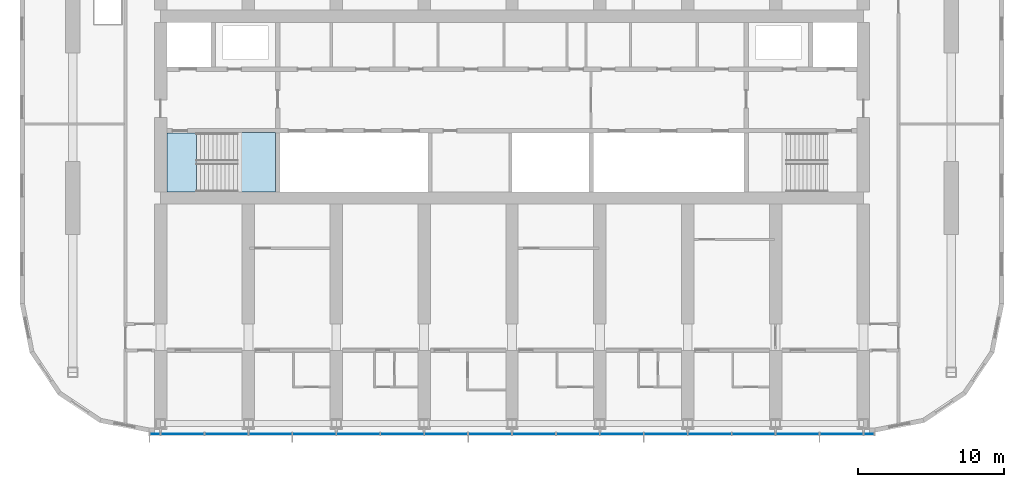
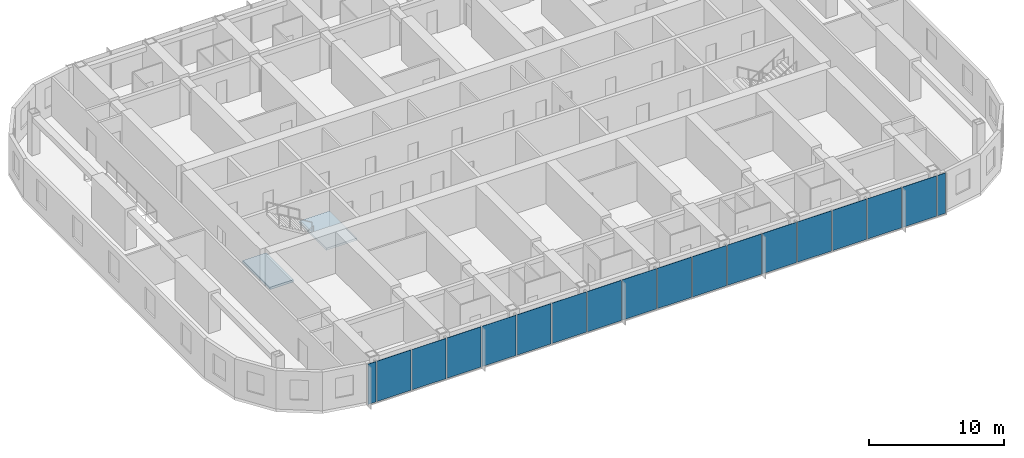
# One storey, part 7 of 22: 18 plates, 2 slabs, 2 elements without a shape of their own.
"""IFC4 building model written with IfcOpenShell, lengths in metres."""

from ifc_helpers import new_model, si_unit, direction, frame, origin, origin_2d, place, context, subcontext, project, spatial, polyline, rectangle, outline, extrude, material, layer, layer_set, type_object, element, aggregate, save


model = new_model("IFC4")

# Units and contexts
model_context = context("Model", 3, precision=1e-05, world=origin(), true_north=direction((0.0, 1.0)))
body_context = subcontext(model_context, "Body", "Model", "MODEL_VIEW")
ifc_project = project(units=[si_unit("LENGTHUNIT", "METRE"), si_unit("AREAUNIT", "SQUARE_METRE"), si_unit("VOLUMEUNIT", "CUBIC_METRE"), si_unit("PLANEANGLEUNIT", "RADIAN"), si_unit("MASSUNIT", "GRAM", prefix="KILO")], contexts=[model_context])

# Site, building, storey
site_placement = place(None, origin())
site = spatial("IfcSite", under=ifc_project, at=site_placement, CompositionType="ELEMENT")
building_placement = place(site_placement, origin())
building = spatial("IfcBuilding", under=site, at=building_placement, Name="Orbita Commons", CompositionType="ELEMENT")
storey_placement = place(building_placement, frame((0.0, 0.0, 152.35009765625)))
storey = spatial("IfcBuildingStorey", under=building, at=storey_placement, Name="L37", CompositionType="ELEMENT", Elevation=152.35009765625)

# Curtain wall, plates
ifc_material_1 = material(Name="Anodised aluminium frame, pale silver", Category="aluminium")
curtain_wall_type = type_object("IfcCurtainWallType", Name="Unitised curtain wall CW-U, full-height vision", PredefinedType="NOTDEFINED", material=ifc_material_1)
curtain_wall_placement = place(storey_placement, origin())
curtain_wall = element("IfcCurtainWall", 1, at=curtain_wall_placement, inside=storey, type_object=curtain_wall_type, Name="Curtain wall south L37", PredefinedType="NOTDEFINED")
ifc_material_2 = material(Name="Clear double glazing", Category="glass")
ifc_layer_1 = layer(ifc_material_2, 0.031982421875)
ifc_layer_set_1 = layer_set([ifc_layer_1], Name="Clear double glazing")
plate_type = type_object("IfcPlateType", Name="Full-height vision panel, clear glazing 32", PredefinedType="CURTAIN_PANEL", material=ifc_layer_set_1)
plate_1_placement = place(storey_placement, frame((17.6201171875, 9.68994140625, -0.150146484375), z_axis=(0.0, 0.0, 1.0), x_axis=(1.0, 0.0, 0.0)))
plate_1 = element("IfcPlate", 2, at=plate_1_placement, type_object=plate_type, Name="Panel 1.1 CW-L37-S", PredefinedType="CURTAIN_PANEL", context=body_context, shape_type="SweptSolid", body=[
    extrude(rectangle(XDim=0.679931640625, YDim=0.031982421875, at=origin_2d()), origin(), (0.0, 0.0, 1.0), 3.64990234375),
])
plate_2_placement = place(storey_placement, frame((19.5, 9.68994140625, -0.150146484375), z_axis=(0.0, 0.0, 1.0), x_axis=(1.0, 0.0, 0.0)))
plate_2 = element("IfcPlate", 3, at=plate_2_placement, type_object=plate_type, Name="Panel 2.1 CW-L37-S", PredefinedType="CURTAIN_PANEL", context=body_context, shape_type="SweptSolid", body=[
    extrude(rectangle(XDim=2.919921875, YDim=0.031982421875, at=origin_2d()), origin(), (0.0, 0.0, 1.0), 3.64990234375),
])
plate_3_placement = place(storey_placement, frame((22.5, 9.68994140625, -0.150146484375), z_axis=(0.0, 0.0, 1.0), x_axis=(1.0, 0.0, 0.0)))
plate_3 = element("IfcPlate", 4, at=plate_3_placement, type_object=plate_type, Name="Panel 3.1 CW-L37-S", PredefinedType="CURTAIN_PANEL", context=body_context, shape_type="SweptSolid", body=[
    extrude(rectangle(XDim=2.919921875, YDim=0.031982421875, at=origin_2d()), origin(), (0.0, 0.0, 1.0), 3.64990234375),
])
plate_4_placement = place(storey_placement, frame((25.5, 9.68994140625, -0.150146484375), z_axis=(0.0, 0.0, 1.0), x_axis=(1.0, 0.0, 0.0)))
plate_4 = element("IfcPlate", 5, at=plate_4_placement, type_object=plate_type, Name="Panel 4.1 CW-L37-S", PredefinedType="CURTAIN_PANEL", context=body_context, shape_type="SweptSolid", body=[
    extrude(rectangle(XDim=2.919921875, YDim=0.031982421875, at=origin_2d()), origin(), (0.0, 0.0, 1.0), 3.64990234375),
])
plate_5_placement = place(storey_placement, frame((28.5, 9.68994140625, -0.150146484375), z_axis=(0.0, 0.0, 1.0), x_axis=(1.0, 0.0, 0.0)))
plate_5 = element("IfcPlate", 6, at=plate_5_placement, type_object=plate_type, Name="Panel 5.1 CW-L37-S", PredefinedType="CURTAIN_PANEL", context=body_context, shape_type="SweptSolid", body=[
    extrude(rectangle(XDim=2.919921875, YDim=0.031982421875, at=origin_2d()), origin(), (0.0, 0.0, 1.0), 3.64990234375),
])
plate_6_placement = place(storey_placement, frame((31.5, 9.68994140625, -0.150146484375), z_axis=(0.0, 0.0, 1.0), x_axis=(1.0, 0.0, 0.0)))
plate_6 = element("IfcPlate", 7, at=plate_6_placement, type_object=plate_type, Name="Panel 6.1 CW-L37-S", PredefinedType="CURTAIN_PANEL", context=body_context, shape_type="SweptSolid", body=[
    extrude(rectangle(XDim=2.919921875, YDim=0.031982421875, at=origin_2d()), origin(), (0.0, 0.0, 1.0), 3.64990234375),
])
plate_7_placement = place(storey_placement, frame((34.5, 9.68994140625, -0.150146484375), z_axis=(0.0, 0.0, 1.0), x_axis=(1.0, 0.0, 0.0)))
plate_7 = element("IfcPlate", 8, at=plate_7_placement, type_object=plate_type, Name="Panel 7.1 CW-L37-S", PredefinedType="CURTAIN_PANEL", context=body_context, shape_type="SweptSolid", body=[
    extrude(rectangle(XDim=2.919921875, YDim=0.031982421875, at=origin_2d()), origin(), (0.0, 0.0, 1.0), 3.64990234375),
])
plate_8_placement = place(storey_placement, frame((37.5, 9.68994140625, -0.150146484375), z_axis=(0.0, 0.0, 1.0), x_axis=(1.0, 0.0, 0.0)))
plate_8 = element("IfcPlate", 9, at=plate_8_placement, type_object=plate_type, Name="Panel 8.1 CW-L37-S", PredefinedType="CURTAIN_PANEL", context=body_context, shape_type="SweptSolid", body=[
    extrude(rectangle(XDim=2.919921875, YDim=0.031982421875, at=origin_2d()), origin(), (0.0, 0.0, 1.0), 3.64990234375),
])
plate_9_placement = place(storey_placement, frame((40.5, 9.68994140625, -0.150146484375), z_axis=(0.0, 0.0, 1.0), x_axis=(1.0, 0.0, 0.0)))
plate_9 = element("IfcPlate", 10, at=plate_9_placement, type_object=plate_type, Name="Panel 9.1 CW-L37-S", PredefinedType="CURTAIN_PANEL", context=body_context, shape_type="SweptSolid", body=[
    extrude(rectangle(XDim=2.919921875, YDim=0.031982421875, at=origin_2d()), origin(), (0.0, 0.0, 1.0), 3.64990234375),
])
plate_10_placement = place(storey_placement, frame((43.5, 9.68994140625, -0.150146484375), z_axis=(0.0, 0.0, 1.0), x_axis=(1.0, 0.0, 0.0)))
plate_10 = element("IfcPlate", 11, at=plate_10_placement, type_object=plate_type, Name="Panel 10.1 CW-L37-S", PredefinedType="CURTAIN_PANEL", context=body_context, shape_type="SweptSolid", body=[
    extrude(rectangle(XDim=2.919921875, YDim=0.031982421875, at=origin_2d()), origin(), (0.0, 0.0, 1.0), 3.64990234375),
])
plate_11_placement = place(storey_placement, frame((46.5, 9.68994140625, -0.150146484375), z_axis=(0.0, 0.0, 1.0), x_axis=(1.0, 0.0, 0.0)))
plate_11 = element("IfcPlate", 12, at=plate_11_placement, type_object=plate_type, Name="Panel 11.1 CW-L37-S", PredefinedType="CURTAIN_PANEL", context=body_context, shape_type="SweptSolid", body=[
    extrude(rectangle(XDim=2.919921875, YDim=0.031982421875, at=origin_2d()), origin(), (0.0, 0.0, 1.0), 3.64990234375),
])
plate_12_placement = place(storey_placement, frame((49.5, 9.68994140625, -0.150146484375), z_axis=(0.0, 0.0, 1.0), x_axis=(1.0, 0.0, 0.0)))
plate_12 = element("IfcPlate", 13, at=plate_12_placement, type_object=plate_type, Name="Panel 12.1 CW-L37-S", PredefinedType="CURTAIN_PANEL", context=body_context, shape_type="SweptSolid", body=[
    extrude(rectangle(XDim=2.919921875, YDim=0.031982421875, at=origin_2d()), origin(), (0.0, 0.0, 1.0), 3.64990234375),
])
plate_13_placement = place(storey_placement, frame((52.5, 9.68994140625, -0.150146484375), z_axis=(0.0, 0.0, 1.0), x_axis=(1.0, 0.0, 0.0)))
plate_13 = element("IfcPlate", 14, at=plate_13_placement, type_object=plate_type, Name="Panel 13.1 CW-L37-S", PredefinedType="CURTAIN_PANEL", context=body_context, shape_type="SweptSolid", body=[
    extrude(rectangle(XDim=2.919921875, YDim=0.031982421875, at=origin_2d()), origin(), (0.0, 0.0, 1.0), 3.64990234375),
])
plate_14_placement = place(storey_placement, frame((55.5, 9.68994140625, -0.150146484375), z_axis=(0.0, 0.0, 1.0), x_axis=(1.0, 0.0, 0.0)))
plate_14 = element("IfcPlate", 15, at=plate_14_placement, type_object=plate_type, Name="Panel 14.1 CW-L37-S", PredefinedType="CURTAIN_PANEL", context=body_context, shape_type="SweptSolid", body=[
    extrude(rectangle(XDim=2.919921875, YDim=0.031982421875, at=origin_2d()), origin(), (0.0, 0.0, 1.0), 3.64990234375),
])
plate_15_placement = place(storey_placement, frame((58.5, 9.68994140625, -0.150146484375), z_axis=(0.0, 0.0, 1.0), x_axis=(1.0, 0.0, 0.0)))
plate_15 = element("IfcPlate", 16, at=plate_15_placement, type_object=plate_type, Name="Panel 15.1 CW-L37-S", PredefinedType="CURTAIN_PANEL", context=body_context, shape_type="SweptSolid", body=[
    extrude(rectangle(XDim=2.919921875, YDim=0.031982421875, at=origin_2d()), origin(), (0.0, 0.0, 1.0), 3.64990234375),
])
plate_16_placement = place(storey_placement, frame((61.5, 9.68994140625, -0.150146484375), z_axis=(0.0, 0.0, 1.0), x_axis=(1.0, 0.0, 0.0)))
plate_16 = element("IfcPlate", 17, at=plate_16_placement, type_object=plate_type, Name="Panel 16.1 CW-L37-S", PredefinedType="CURTAIN_PANEL", context=body_context, shape_type="SweptSolid", body=[
    extrude(rectangle(XDim=2.919921875, YDim=0.031982421875, at=origin_2d()), origin(), (0.0, 0.0, 1.0), 3.64990234375),
])
plate_17_placement = place(storey_placement, frame((64.5, 9.68994140625, -0.150146484375), z_axis=(0.0, 0.0, 1.0), x_axis=(1.0, 0.0, 0.0)))
plate_17 = element("IfcPlate", 18, at=plate_17_placement, type_object=plate_type, Name="Panel 17.1 CW-L37-S", PredefinedType="CURTAIN_PANEL", context=body_context, shape_type="SweptSolid", body=[
    extrude(rectangle(XDim=2.919921875, YDim=0.031982421875, at=origin_2d()), origin(), (0.0, 0.0, 1.0), 3.64990234375),
])
plate_18_placement = place(storey_placement, frame((66.3798828125, 9.68994140625, -0.150146484375), z_axis=(0.0, 0.0, 1.0), x_axis=(1.0, 0.0, 0.0)))
plate_18 = element("IfcPlate", 19, at=plate_18_placement, type_object=plate_type, Name="Panel 18.1 CW-L37-S", PredefinedType="CURTAIN_PANEL", context=body_context, shape_type="SweptSolid", body=[
    extrude(rectangle(XDim=0.679931640625, YDim=0.031982421875, at=origin_2d()), origin(), (0.0, 0.0, 1.0), 3.64990234375),
])
aggregate(curtain_wall, [plate_1, plate_2, plate_3, plate_4, plate_5, plate_6, plate_7, plate_8, plate_9, plate_10, plate_11, plate_12, plate_13, plate_14, plate_15, plate_16, plate_17, plate_18])

# Stair, slabs
ifc_material_3 = material(Name="Precast concrete C40/50", Category="concrete")
stair_type = type_object("IfcStairType", Name="Exit stair S1 2 flights 11 risers 170", PredefinedType="HALF_TURN_STAIR", material=ifc_material_3)
stair_placement = place(storey_placement, origin())
stair = element("IfcStair", 20, at=stair_placement, inside=storey, type_object=stair_type, Name="Exit stair S1 L37", PredefinedType="HALF_TURN_STAIR")
ifc_material_4 = material(Name="Concrete C40/50", Category="concrete")
ifc_layer_2 = layer(ifc_material_4, 0.199951171875)
ifc_layer_set_2 = layer_set([ifc_layer_2], Name="Concrete C40/50")
slab_type = type_object("IfcSlabType", Name="Stair landing 200", PredefinedType="LANDING", material=ifc_layer_set_2)
slab_1_placement = place(storey_placement, frame((0.0, 0.0, -0.2001953125)))
slab_1 = element("IfcSlab", 21, at=slab_1_placement, type_object=slab_type, Name="S1 landing 1", PredefinedType="LANDING", context=body_context, shape_type="SweptSolid", body=[
    extrude(outline(polyline([(18.425048828125, 26.22509765625), (20.449951171875, 26.22509765625), (20.449951171875, 30.25), (18.425048828125, 30.25), (18.425048828125, 26.22509765625)])), origin(), (0.0, 0.0, 1.0), 0.2001953125),
])
slab_2_placement = place(storey_placement, frame((0.0, 0.0, 1.6748046875)))
slab_2 = element("IfcSlab", 22, at=slab_2_placement, type_object=slab_type, Name="S1 landing 2", PredefinedType="LANDING", context=body_context, shape_type="SweptSolid", body=[
    extrude(outline(polyline([(23.25, 26.2099609375), (25.864990234375, 26.2099609375), (25.864990234375, 30.264892578125), (23.25, 30.264892578125), (23.25, 26.2099609375)])), origin(), (0.0, 0.0, 1.0), 0.2001953125),
])
aggregate(stair, [slab_1, slab_2])

save(model, "model.ifc")
